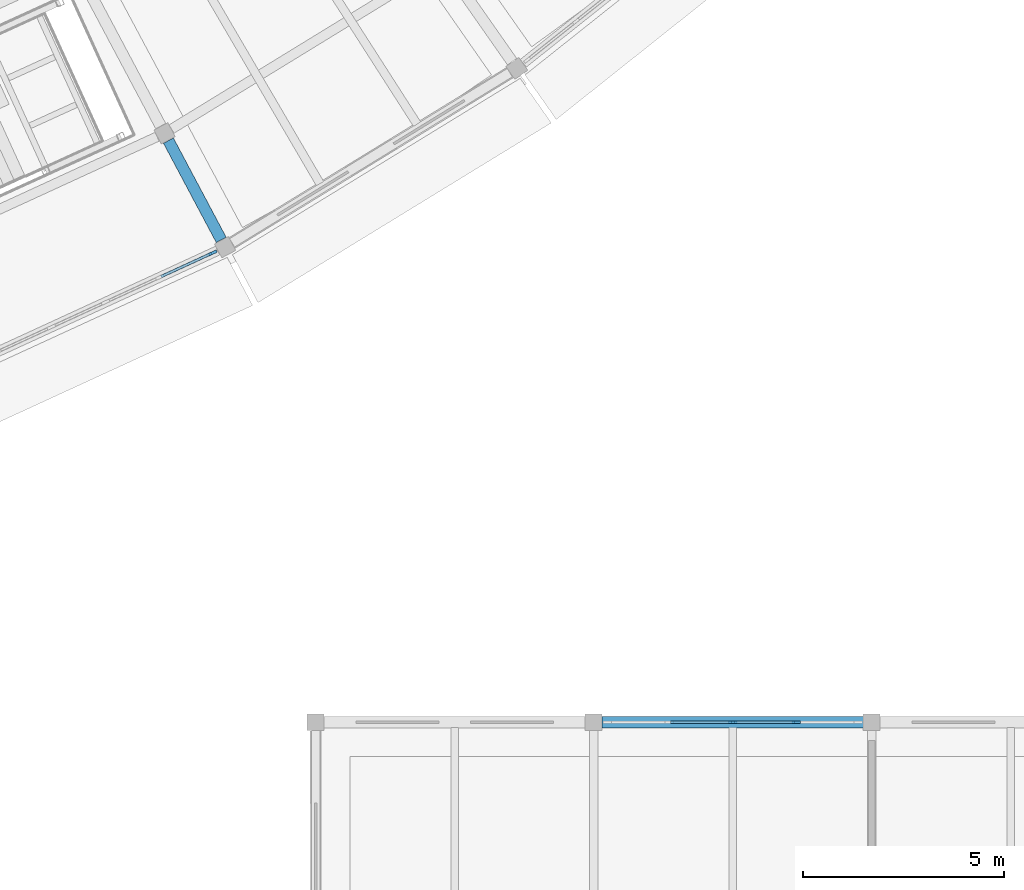
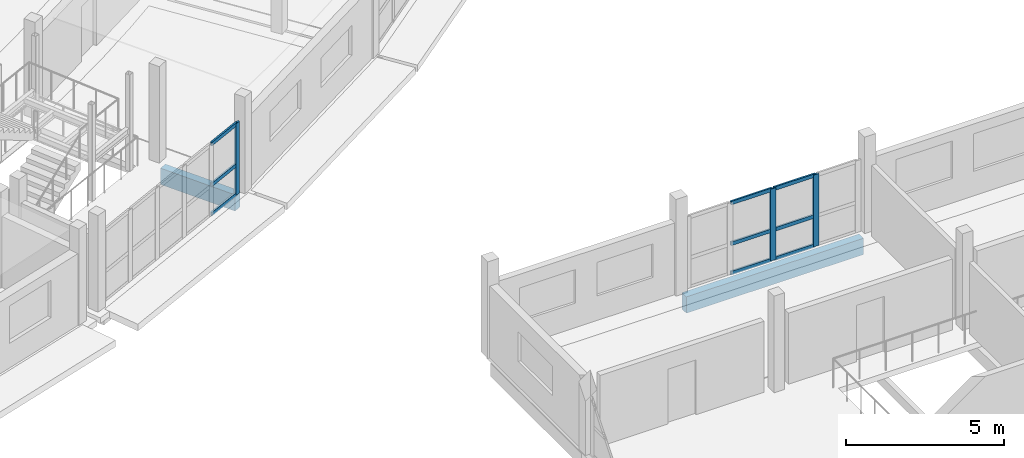
# One storey, part 27 of 77: 12 members, 2 beams, 2 elements without a shape of their own.
"""IFC4 building model written with IfcOpenShell, lengths in metres."""

from ifc_helpers import new_model, si_unit, direction, frame, origin, origin_2d, place, context, subcontext, project, spatial, rectangle, extrude, material, layer, layer_set, material_profile, profile_set, type_object, element, aggregate, save


model = new_model("IFC4")

# Units and contexts
model_context = context("Model", 3, precision=1e-05, world=origin(), true_north=direction((0.0, 1.0)))
body_context = subcontext(model_context, "Body", "Model", "MODEL_VIEW")
ifc_project = project(units=[si_unit("LENGTHUNIT", "METRE"), si_unit("AREAUNIT", "SQUARE_METRE"), si_unit("VOLUMEUNIT", "CUBIC_METRE"), si_unit("PLANEANGLEUNIT", "RADIAN"), si_unit("MASSUNIT", "GRAM", prefix="KILO")], contexts=[model_context])

# Site, building, storey
site_placement = place(None, origin())
site = spatial("IfcSite", under=ifc_project, at=site_placement, CompositionType="ELEMENT")
building_placement = place(site_placement, origin())
building = spatial("IfcBuilding", under=site, at=building_placement, Name="Caldaven Crescent School", CompositionType="ELEMENT")
storey_placement = place(building_placement, frame((0.0, 0.0, 4.419921875)))
storey = spatial("IfcBuildingStorey", under=building, at=storey_placement, Name="L01", CompositionType="ELEMENT", Elevation=4.419921875)

# Beams
ifc_material_1 = material(Name="Glulam MLE24h (GL28h)", Category="wood")
ifc_material_profile_1 = material_profile(ifc_material_1, rectangle(XDim=0.280029296875, YDim=0.6298828125, at=origin_2d()), Name="MLE 280x630")
ifc_profile_set_1 = profile_set([ifc_material_profile_1], Name="Glulam MLE24h (GL28h)")
beam_type = type_object("IfcBeamType", Name="BM-GL63", PredefinedType="BEAM", material=ifc_profile_set_1)
beam_1_placement = place(storey_placement, frame((130.0048828125, 22.800048828125, -0.534912109375), z_axis=(1.0, 0.0, 0.0), x_axis=(0.0, 1.0, 0.0)))
element("IfcBeam", 1, at=beam_1_placement, inside=storey, type_object=beam_type, Name="BMX-V3-L01-0476", PredefinedType="BEAM", context=body_context, shape_type="SweptSolid", body=[
    extrude(rectangle(XDim=0.280029296875, YDim=0.6298828125, at=origin_2d()), origin(), (0.0, 0.0, 1.0), 6.490234375),
])
beam_2_placement = place(storey_placement, frame((119.24560546875, 37.2353515625, -0.534912109375), z_axis=(0.469475098942, -0.882945712642, 0.0), x_axis=(0.882945712642, 0.469475098942, 0.0)))
element("IfcBeam", 2, at=beam_2_placement, inside=storey, type_object=beam_type, Name="BMR-V4E-L01-1077", PredefinedType="BEAM", context=body_context, shape_type="SweptSolid", body=[
    extrude(rectangle(XDim=0.280029296875, YDim=0.6298828125, at=origin_2d()), origin(), (0.0, 0.0, 1.0), 2.7900390625),
])

# Curtain wall, members
ifc_material_2 = material(Name="Anodised aluminium AA 6063-T6 and low-E double glazing", Category="aluminium")
ifc_layer = layer(ifc_material_2, 0.2099609375)
ifc_layer_set = layer_set([ifc_layer], Name="Anodised aluminium AA 6063-T6 and low-E double glazing")
curtain_wall_type = type_object("IfcCurtainWallType", Name="CW-SYS3", PredefinedType="NOTDEFINED", material=ifc_layer_set)
curtain_wall_1_placement = place(storey_placement, origin())
curtain_wall_1 = element("IfcCurtainWall", 3, at=curtain_wall_1_placement, inside=storey, type_object=curtain_wall_type, Name="CW-L01-086", PredefinedType="NOTDEFINED")
ifc_material_3 = material(Name="Anodised aluminium AA 6063-T6", Category="aluminium")
ifc_material_profile_2 = material_profile(ifc_material_3, rectangle(XDim=0.070068359375, YDim=0.2099609375, at=origin_2d()), Name="CWM 70x210")
ifc_profile_set_2 = profile_set([ifc_material_profile_2], Name="Anodised aluminium AA 6063-T6")
member_type_1 = type_object("IfcMemberType", Name="CWM-T3", PredefinedType="MULLION", material=ifc_profile_set_2)
member_1_placement = place(storey_placement, frame((133.25, 22.800048828125, 0.0), z_axis=(0.0, 0.0, 1.0), x_axis=(0.0, 1.0, 0.0)))
member_1 = element("IfcMember", 4, at=member_1_placement, type_object=member_type_1, Name="CW3 mullion 3", PredefinedType="MULLION", context=body_context, shape_type="SweptSolid", body=[
    extrude(rectangle(XDim=0.070068359375, YDim=0.2099609375, at=origin_2d()), origin(), (0.0, 0.0, 1.0), 2.780029296875),
])
member_2_placement = place(storey_placement, frame((134.824951171875, 22.800048828125, 0.0), z_axis=(0.0, 0.0, 1.0), x_axis=(0.0, 1.0, 0.0)))
member_2 = element("IfcMember", 5, at=member_2_placement, type_object=member_type_1, Name="CW3 mullion 4", PredefinedType="MULLION", context=body_context, shape_type="SweptSolid", body=[
    extrude(rectangle(XDim=0.070068359375, YDim=0.2099609375, at=origin_2d()), origin(), (0.0, 0.0, 1.0), 2.780029296875),
])

# Curtain wall, member
curtain_wall_2_placement = place(storey_placement, origin())
curtain_wall_2 = element("IfcCurtainWall", 6, at=curtain_wall_2_placement, inside=storey, type_object=curtain_wall_type, Name="CW-L01-131", PredefinedType="NOTDEFINED")
member_3_placement = place(storey_placement, frame((120.347412109375, 34.450927734375, 0.0), z_axis=(0.0, 0.0, 1.0), x_axis=(-0.417823425339, 0.908528252306, 0.0)))
member_3 = element("IfcMember", 7, at=member_3_placement, type_object=member_type_1, Name="CW3 mullion 6", PredefinedType="MULLION", context=body_context, shape_type="SweptSolid", body=[
    extrude(rectangle(XDim=0.070068359375, YDim=0.2099609375, at=origin_2d()), origin(), (0.0, 0.0, 1.0), 2.780029296875),
])

# Member
ifc_material_profile_3 = material_profile(ifc_material_3, rectangle(XDim=0.06494140625, YDim=0.139892578125, at=origin_2d()), Name="CWT 65x140")
ifc_profile_set_3 = profile_set([ifc_material_profile_3], Name="Anodised aluminium AA 6063-T6")
member_type_2 = type_object("IfcMemberType", Name="CWT-T2", PredefinedType="USERDEFINED", material=ifc_profile_set_3)
member_4_placement = place(storey_placement, frame((131.7099609375, 22.800048828125, 0.032470703125), z_axis=(1.0, 0.0, 0.0), x_axis=(0.0, 1.0, 0.0)))
member_4 = element("IfcMember", 8, at=member_4_placement, type_object=member_type_2, Name="CW3 transom 2.1", ObjectType="TRANSOM", PredefinedType="USERDEFINED", context=body_context, shape_type="SweptSolid", body=[
    extrude(rectangle(XDim=0.06494140625, YDim=0.139892578125, at=origin_2d()), origin(), (0.0, 0.0, 1.0), 1.505126953125),
])

member_5_placement = place(storey_placement, frame((131.7099609375, 22.800048828125, 1.16796875), z_axis=(1.0, 0.0, 0.0), x_axis=(0.0, 1.0, 0.0)))
member_5 = element("IfcMember", 9, at=member_5_placement, type_object=member_type_2, Name="CW3 transom 2.2", ObjectType="TRANSOM", PredefinedType="USERDEFINED", context=body_context, shape_type="SweptSolid", body=[
    extrude(rectangle(XDim=0.06494140625, YDim=0.139892578125, at=origin_2d()), origin(), (0.0, 0.0, 1.0), 1.505126953125),
])

member_6_placement = place(storey_placement, frame((131.7099609375, 22.800048828125, 2.74755859375), z_axis=(1.0, 0.0, 0.0), x_axis=(0.0, 1.0, 0.0)))
member_6 = element("IfcMember", 10, at=member_6_placement, type_object=member_type_2, Name="CW3 transom 2.3", ObjectType="TRANSOM", PredefinedType="USERDEFINED", context=body_context, shape_type="SweptSolid", body=[
    extrude(rectangle(XDim=0.06494140625, YDim=0.139892578125, at=origin_2d()), origin(), (0.0, 0.0, 1.0), 1.505126953125),
])

member_7_placement = place(storey_placement, frame((133.284912109375, 22.800048828125, 0.032470703125), z_axis=(1.0, 0.0, 0.0), x_axis=(0.0, 1.0, 0.0)))
member_7 = element("IfcMember", 11, at=member_7_placement, type_object=member_type_2, Name="CW3 transom 3.1", ObjectType="TRANSOM", PredefinedType="USERDEFINED", context=body_context, shape_type="SweptSolid", body=[
    extrude(rectangle(XDim=0.06494140625, YDim=0.139892578125, at=origin_2d()), origin(), (0.0, 0.0, 1.0), 1.505126953125),
])

member_8_placement = place(storey_placement, frame((133.284912109375, 22.800048828125, 1.16796875), z_axis=(1.0, 0.0, 0.0), x_axis=(0.0, 1.0, 0.0)))
member_8 = element("IfcMember", 12, at=member_8_placement, type_object=member_type_2, Name="CW3 transom 3.2", ObjectType="TRANSOM", PredefinedType="USERDEFINED", context=body_context, shape_type="SweptSolid", body=[
    extrude(rectangle(XDim=0.06494140625, YDim=0.139892578125, at=origin_2d()), origin(), (0.0, 0.0, 1.0), 1.505126953125),
])

member_9_placement = place(storey_placement, frame((133.284912109375, 22.800048828125, 2.74755859375), z_axis=(1.0, 0.0, 0.0), x_axis=(0.0, 1.0, 0.0)))
member_9 = element("IfcMember", 13, at=member_9_placement, type_object=member_type_2, Name="CW3 transom 3.3", ObjectType="TRANSOM", PredefinedType="USERDEFINED", context=body_context, shape_type="SweptSolid", body=[
    extrude(rectangle(XDim=0.06494140625, YDim=0.139892578125, at=origin_2d()), origin(), (0.0, 0.0, 1.0), 1.505126953125),
])

aggregate(curtain_wall_1, [member_1, member_2, member_4, member_5, member_6, member_7, member_8, member_9])

member_10_placement = place(storey_placement, frame((119.06396484375, 33.86083984375, 0.032470703125), z_axis=(0.908518707105, 0.417844180096, 0.0), x_axis=(-0.417844180096, 0.908518707105, 0.0)))
member_10 = element("IfcMember", 14, at=member_10_placement, type_object=member_type_2, Name="CW3 transom 5.1", ObjectType="TRANSOM", PredefinedType="USERDEFINED", context=body_context, shape_type="SweptSolid", body=[
    extrude(rectangle(XDim=0.06494140625, YDim=0.139892578125, at=origin_2d()), origin(), (0.0, 0.0, 1.0), 1.377685546875),
])

member_11_placement = place(storey_placement, frame((119.06396484375, 33.86083984375, 1.16796875), z_axis=(0.908518707105, 0.417844180096, 0.0), x_axis=(-0.417844180096, 0.908518707105, 0.0)))
member_11 = element("IfcMember", 15, at=member_11_placement, type_object=member_type_2, Name="CW3 transom 5.2", ObjectType="TRANSOM", PredefinedType="USERDEFINED", context=body_context, shape_type="SweptSolid", body=[
    extrude(rectangle(XDim=0.06494140625, YDim=0.139892578125, at=origin_2d()), origin(), (0.0, 0.0, 1.0), 1.377685546875),
])

member_12_placement = place(storey_placement, frame((119.06396484375, 33.86083984375, 2.74755859375), z_axis=(0.908518707105, 0.417844180096, 0.0), x_axis=(-0.417844180096, 0.908518707105, 0.0)))
member_12 = element("IfcMember", 16, at=member_12_placement, type_object=member_type_2, Name="CW3 transom 5.3", ObjectType="TRANSOM", PredefinedType="USERDEFINED", context=body_context, shape_type="SweptSolid", body=[
    extrude(rectangle(XDim=0.06494140625, YDim=0.139892578125, at=origin_2d()), origin(), (0.0, 0.0, 1.0), 1.377685546875),
])

aggregate(curtain_wall_2, [member_3, member_10, member_11, member_12])

save(model, "model.ifc")
